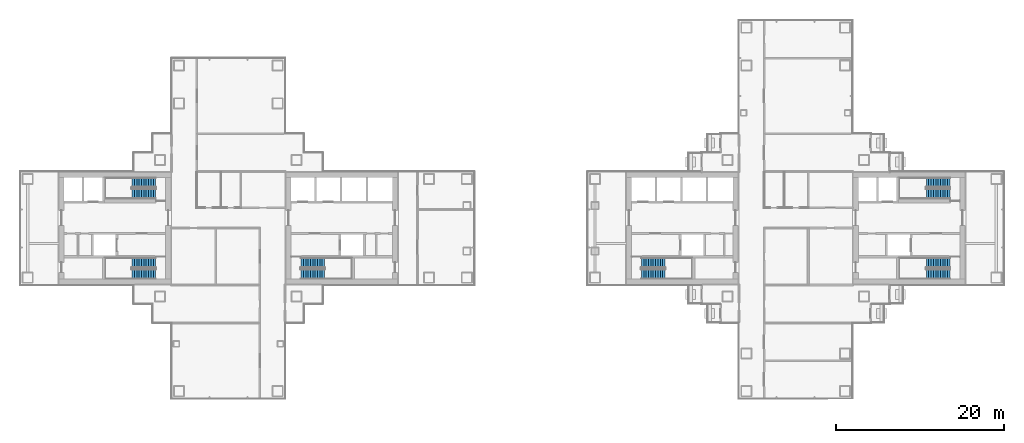
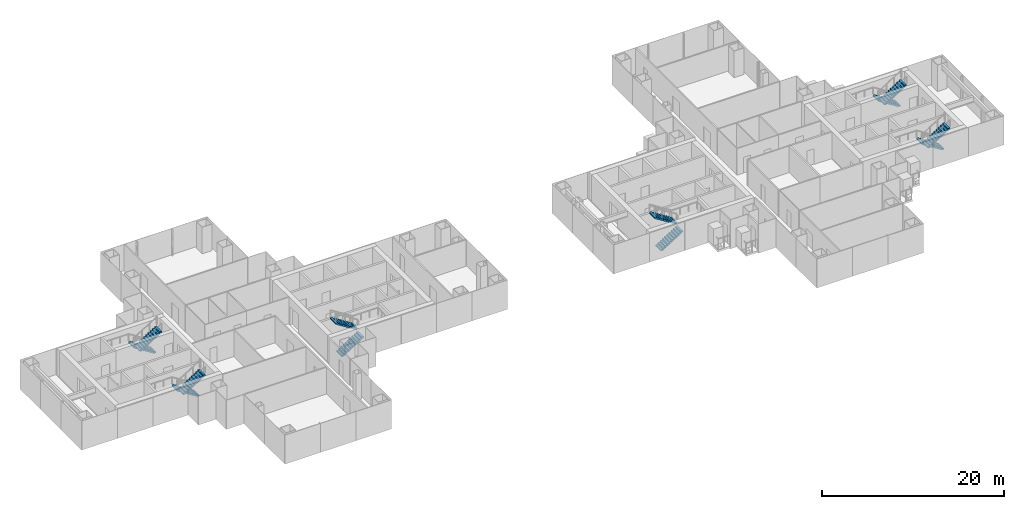
# One storey, part 17 of 20: 12 stair flights, 6 elements without a shape of their own.
"""IFC4 building model written with IfcOpenShell, lengths in metres."""

from ifc_helpers import new_model, si_unit, direction, frame, origin, place, context, subcontext, project, spatial, polyline, outline, extrude, material, type_object, element, aggregate, save


model = new_model("IFC4")

# Units and contexts
model_context = context("Model", 3, precision=1e-05, world=origin(), true_north=direction((0.0, 1.0)))
body_context = subcontext(model_context, "Body", "Model", "MODEL_VIEW")
ifc_project = project(units=[si_unit("LENGTHUNIT", "METRE"), si_unit("AREAUNIT", "SQUARE_METRE"), si_unit("VOLUMEUNIT", "CUBIC_METRE"), si_unit("PLANEANGLEUNIT", "RADIAN"), si_unit("MASSUNIT", "GRAM", prefix="KILO")], contexts=[model_context])

# Site, building, storey
site_placement = place(None, origin())
site = spatial("IfcSite", under=ifc_project, at=site_placement, CompositionType="ELEMENT")
building_placement = place(site_placement, origin())
building = spatial("IfcBuilding", under=site, at=building_placement, Name="Shamsa Quay Exchange Towers", CompositionType="ELEMENT")
storey_placement = place(building_placement, frame((0.0, 0.0, 109.199951171875)))
storey = spatial("IfcBuildingStorey", under=building, at=storey_placement, Name="L25", CompositionType="ELEMENT", Elevation=109.199951171875)

# Stair, stair flights
ifc_material = material(Name="Concrete C40/50", Category="concrete")
stair_type = type_object("IfcStairType", Name="EXIT STAIR 22 RISERS 177 MM", PredefinedType="HALF_TURN_STAIR", material=ifc_material)
stair_1_placement = place(storey_placement, origin())
stair_1 = element("IfcStair", 1, at=stair_1_placement, inside=storey, type_object=stair_type, Name="L25 Exit stair ST1", PredefinedType="HALF_TURN_STAIR")
stair_flight_type = type_object("IfcStairFlightType", Name="EXIT STAIR FLIGHT 11 RISERS 177 MM", PredefinedType="STRAIGHT", material=ifc_material)
stair_flight_1_placement = place(storey_placement, frame((-25.10009765625, -5.449951171875, 0.0)))
stair_flight_1 = element("IfcStairFlight", 2, at=stair_flight_1_placement, type_object=stair_flight_type, Name="ST1 flight 1", NumberOfRisers=11, NumberOfTreads=10, PredefinedType="STRAIGHT", RiserHeight=0.177272727, TreadLength=0.28, context=body_context, shape_type="SweptSolid", body=[
    extrude(outline(polyline([(0.0, 0.0), (0.0, 0.17724609375), (0.280029296875, 0.17724609375), (0.280029296875, 0.3544921875), (0.56005859375, 0.3544921875), (0.56005859375, 0.53173828125), (0.840087890625, 0.53173828125), (0.840087890625, 0.708984375), (1.1201171875, 0.708984375), (1.1201171875, 0.886474609375), (1.39990234375, 0.886474609375), (1.39990234375, 1.063720703125), (1.679931640625, 1.063720703125), (1.679931640625, 1.240966796875), (1.9599609375, 1.240966796875), (1.9599609375, 1.418212890625), (2.239990234375, 1.418212890625), (2.239990234375, 1.595458984375), (2.52001953125, 1.595458984375), (2.52001953125, 1.772705078125), (2.800048828125, 1.772705078125), (2.800048828125, 1.949951171875), (2.800048828125, 1.607177734375), (0.261474609375, 0.0), (0.0, 0.0)])), frame((0.0, 0.60009765625, 0.0), z_axis=(0.0, -1.0, 0.0), x_axis=(1.0, 0.0, 0.0)), (0.0, 0.0, 1.0), 1.199951171875),
])
stair_flight_2_placement = place(storey_placement, frame((-22.300048828125, -4.10009765625, 1.949951171875), z_axis=(0.0, 0.0, 1.0), x_axis=(-1.0, 0.0, 0.0)))
stair_flight_2 = element("IfcStairFlight", 3, at=stair_flight_2_placement, type_object=stair_flight_type, Name="ST1 flight 2", NumberOfRisers=11, NumberOfTreads=10, PredefinedType="STRAIGHT", RiserHeight=0.177272727, TreadLength=0.28, context=body_context, shape_type="SweptSolid", body=[
    extrude(outline(polyline([(0.0, 0.0), (0.0, 0.17724609375), (0.280029296875, 0.17724609375), (0.280029296875, 0.3544921875), (0.56005859375, 0.3544921875), (0.56005859375, 0.53173828125), (0.840087890625, 0.53173828125), (0.840087890625, 0.708984375), (1.1201171875, 0.708984375), (1.1201171875, 0.886474609375), (1.39990234375, 0.886474609375), (1.39990234375, 1.063720703125), (1.679931640625, 1.063720703125), (1.679931640625, 1.240966796875), (1.9599609375, 1.240966796875), (1.9599609375, 1.418212890625), (2.239990234375, 1.418212890625), (2.239990234375, 1.595458984375), (2.52001953125, 1.595458984375), (2.52001953125, 1.772705078125), (2.800048828125, 1.772705078125), (2.800048828125, 1.949951171875), (2.800048828125, 1.607177734375), (0.261474609375, 0.0), (0.0, 0.0)])), frame((0.0, 0.60009765625, 0.0), z_axis=(0.0, -1.0, 0.0), x_axis=(1.0, 0.0, 0.0)), (0.0, 0.0, 1.0), 1.199951171875),
])
aggregate(stair_1, [stair_flight_1, stair_flight_2])

stair_2_placement = place(storey_placement, origin())
stair_2 = element("IfcStair", 4, at=stair_2_placement, inside=storey, type_object=stair_type, Name="L25 Exit stair ST2", PredefinedType="HALF_TURN_STAIR")
stair_flight_3_placement = place(storey_placement, frame((-42.39990234375, -4.10009765625, 0.0), z_axis=(0.0, 0.0, 1.0), x_axis=(-1.0, 0.0, 0.0)))
stair_flight_3 = element("IfcStairFlight", 5, at=stair_flight_3_placement, type_object=stair_flight_type, Name="ST2 flight 1", NumberOfRisers=11, NumberOfTreads=10, PredefinedType="STRAIGHT", RiserHeight=0.177272727, TreadLength=0.28, context=body_context, shape_type="SweptSolid", body=[
    extrude(outline(polyline([(0.0, 0.0), (0.0, 0.17724609375), (0.280029296875, 0.17724609375), (0.280029296875, 0.3544921875), (0.56005859375, 0.3544921875), (0.56005859375, 0.53173828125), (0.840087890625, 0.53173828125), (0.840087890625, 0.708984375), (1.1201171875, 0.708984375), (1.1201171875, 0.886474609375), (1.39990234375, 0.886474609375), (1.39990234375, 1.063720703125), (1.679931640625, 1.063720703125), (1.679931640625, 1.240966796875), (1.9599609375, 1.240966796875), (1.9599609375, 1.418212890625), (2.239990234375, 1.418212890625), (2.239990234375, 1.595458984375), (2.52001953125, 1.595458984375), (2.52001953125, 1.772705078125), (2.800048828125, 1.772705078125), (2.800048828125, 1.949951171875), (2.800048828125, 1.607177734375), (0.261474609375, 0.0), (0.0, 0.0)])), frame((0.0, 0.60009765625, 0.0), z_axis=(0.0, -1.0, 0.0), x_axis=(1.0, 0.0, 0.0)), (0.0, 0.0, 1.0), 1.199951171875),
])
stair_flight_4_placement = place(storey_placement, frame((-45.199951171875, -5.449951171875, 1.949951171875)))
stair_flight_4 = element("IfcStairFlight", 6, at=stair_flight_4_placement, type_object=stair_flight_type, Name="ST2 flight 2", NumberOfRisers=11, NumberOfTreads=10, PredefinedType="STRAIGHT", RiserHeight=0.177272727, TreadLength=0.28, context=body_context, shape_type="SweptSolid", body=[
    extrude(outline(polyline([(0.0, 0.0), (0.0, 0.17724609375), (0.280029296875, 0.17724609375), (0.280029296875, 0.3544921875), (0.56005859375, 0.3544921875), (0.56005859375, 0.53173828125), (0.840087890625, 0.53173828125), (0.840087890625, 0.708984375), (1.1201171875, 0.708984375), (1.1201171875, 0.886474609375), (1.39990234375, 0.886474609375), (1.39990234375, 1.063720703125), (1.679931640625, 1.063720703125), (1.679931640625, 1.240966796875), (1.9599609375, 1.240966796875), (1.9599609375, 1.418212890625), (2.239990234375, 1.418212890625), (2.239990234375, 1.595458984375), (2.52001953125, 1.595458984375), (2.52001953125, 1.772705078125), (2.800048828125, 1.772705078125), (2.800048828125, 1.949951171875), (2.800048828125, 1.607177734375), (0.261474609375, 0.0), (0.0, 0.0)])), frame((0.0, 0.60009765625, 0.0), z_axis=(0.0, -1.0, 0.0), x_axis=(1.0, 0.0, 0.0)), (0.0, 0.0, 1.0), 1.199951171875),
])
aggregate(stair_2, [stair_flight_3, stair_flight_4])

stair_3_placement = place(storey_placement, origin())
stair_3 = element("IfcStair", 7, at=stair_3_placement, inside=storey, type_object=stair_type, Name="L25 Exit stair ST3", PredefinedType="HALF_TURN_STAIR")
stair_flight_5_placement = place(storey_placement, frame((-42.39990234375, 5.449951171875, 0.0), z_axis=(0.0, 0.0, 1.0), x_axis=(-1.0, 0.0, 0.0)))
stair_flight_5 = element("IfcStairFlight", 8, at=stair_flight_5_placement, type_object=stair_flight_type, Name="ST3 flight 1", NumberOfRisers=11, NumberOfTreads=10, PredefinedType="STRAIGHT", RiserHeight=0.177272727, TreadLength=0.28, context=body_context, shape_type="SweptSolid", body=[
    extrude(outline(polyline([(0.0, 0.0), (0.0, 0.17724609375), (0.280029296875, 0.17724609375), (0.280029296875, 0.3544921875), (0.56005859375, 0.3544921875), (0.56005859375, 0.53173828125), (0.840087890625, 0.53173828125), (0.840087890625, 0.708984375), (1.1201171875, 0.708984375), (1.1201171875, 0.886474609375), (1.39990234375, 0.886474609375), (1.39990234375, 1.063720703125), (1.679931640625, 1.063720703125), (1.679931640625, 1.240966796875), (1.9599609375, 1.240966796875), (1.9599609375, 1.418212890625), (2.239990234375, 1.418212890625), (2.239990234375, 1.595458984375), (2.52001953125, 1.595458984375), (2.52001953125, 1.772705078125), (2.800048828125, 1.772705078125), (2.800048828125, 1.949951171875), (2.800048828125, 1.607177734375), (0.261474609375, 0.0), (0.0, 0.0)])), frame((0.0, 0.60009765625, 0.0), z_axis=(0.0, -1.0, 0.0), x_axis=(1.0, 0.0, 0.0)), (0.0, 0.0, 1.0), 1.199951171875),
])
stair_flight_6_placement = place(storey_placement, frame((-45.199951171875, 4.10009765625, 1.949951171875)))
stair_flight_6 = element("IfcStairFlight", 9, at=stair_flight_6_placement, type_object=stair_flight_type, Name="ST3 flight 2", NumberOfRisers=11, NumberOfTreads=10, PredefinedType="STRAIGHT", RiserHeight=0.177272727, TreadLength=0.28, context=body_context, shape_type="SweptSolid", body=[
    extrude(outline(polyline([(0.0, 0.0), (0.0, 0.17724609375), (0.280029296875, 0.17724609375), (0.280029296875, 0.3544921875), (0.56005859375, 0.3544921875), (0.56005859375, 0.53173828125), (0.840087890625, 0.53173828125), (0.840087890625, 0.708984375), (1.1201171875, 0.708984375), (1.1201171875, 0.886474609375), (1.39990234375, 0.886474609375), (1.39990234375, 1.063720703125), (1.679931640625, 1.063720703125), (1.679931640625, 1.240966796875), (1.9599609375, 1.240966796875), (1.9599609375, 1.418212890625), (2.239990234375, 1.418212890625), (2.239990234375, 1.595458984375), (2.52001953125, 1.595458984375), (2.52001953125, 1.772705078125), (2.800048828125, 1.772705078125), (2.800048828125, 1.949951171875), (2.800048828125, 1.607177734375), (0.261474609375, 0.0), (0.0, 0.0)])), frame((0.0, 0.60009765625, 0.0), z_axis=(0.0, -1.0, 0.0), x_axis=(1.0, 0.0, 0.0)), (0.0, 0.0, 1.0), 1.199951171875),
])
aggregate(stair_3, [stair_flight_5, stair_flight_6])

stair_4_placement = place(storey_placement, origin())
stair_4 = element("IfcStair", 10, at=stair_4_placement, inside=storey, type_object=stair_type, Name="L25 Exit stair ST4", PredefinedType="HALF_TURN_STAIR")
stair_flight_7_placement = place(storey_placement, frame((15.39990234375, -5.449951171875, 0.0)))
stair_flight_7 = element("IfcStairFlight", 11, at=stair_flight_7_placement, type_object=stair_flight_type, Name="ST4 flight 1", NumberOfRisers=11, NumberOfTreads=10, PredefinedType="STRAIGHT", RiserHeight=0.177272727, TreadLength=0.28, context=body_context, shape_type="SweptSolid", body=[
    extrude(outline(polyline([(0.0, 0.0), (0.0, 0.17724609375), (0.280029296875, 0.17724609375), (0.280029296875, 0.3544921875), (0.56005859375, 0.3544921875), (0.56005859375, 0.53173828125), (0.840087890625, 0.53173828125), (0.840087890625, 0.708984375), (1.1201171875, 0.708984375), (1.1201171875, 0.886474609375), (1.39990234375, 0.886474609375), (1.39990234375, 1.063720703125), (1.679931640625, 1.063720703125), (1.679931640625, 1.240966796875), (1.9599609375, 1.240966796875), (1.9599609375, 1.418212890625), (2.239990234375, 1.418212890625), (2.239990234375, 1.595458984375), (2.52001953125, 1.595458984375), (2.52001953125, 1.772705078125), (2.800048828125, 1.772705078125), (2.800048828125, 1.949951171875), (2.800048828125, 1.607177734375), (0.261474609375, 0.0), (0.0, 0.0)])), frame((0.0, 0.60009765625, 0.0), z_axis=(0.0, -1.0, 0.0), x_axis=(1.0, 0.0, 0.0)), (0.0, 0.0, 1.0), 1.199951171875),
])
stair_flight_8_placement = place(storey_placement, frame((18.199951171875, -4.10009765625, 1.949951171875), z_axis=(0.0, 0.0, 1.0), x_axis=(-1.0, 0.0, 0.0)))
stair_flight_8 = element("IfcStairFlight", 12, at=stair_flight_8_placement, type_object=stair_flight_type, Name="ST4 flight 2", NumberOfRisers=11, NumberOfTreads=10, PredefinedType="STRAIGHT", RiserHeight=0.177272727, TreadLength=0.28, context=body_context, shape_type="SweptSolid", body=[
    extrude(outline(polyline([(0.0, 0.0), (0.0, 0.17724609375), (0.280029296875, 0.17724609375), (0.280029296875, 0.3544921875), (0.56005859375, 0.3544921875), (0.56005859375, 0.53173828125), (0.840087890625, 0.53173828125), (0.840087890625, 0.708984375), (1.1201171875, 0.708984375), (1.1201171875, 0.886474609375), (1.39990234375, 0.886474609375), (1.39990234375, 1.063720703125), (1.679931640625, 1.063720703125), (1.679931640625, 1.240966796875), (1.9599609375, 1.240966796875), (1.9599609375, 1.418212890625), (2.239990234375, 1.418212890625), (2.239990234375, 1.595458984375), (2.52001953125, 1.595458984375), (2.52001953125, 1.772705078125), (2.800048828125, 1.772705078125), (2.800048828125, 1.949951171875), (2.800048828125, 1.607177734375), (0.261474609375, 0.0), (0.0, 0.0)])), frame((0.0, 0.60009765625, 0.0), z_axis=(0.0, -1.0, 0.0), x_axis=(1.0, 0.0, 0.0)), (0.0, 0.0, 1.0), 1.199951171875),
])
aggregate(stair_4, [stair_flight_7, stair_flight_8])

stair_5_placement = place(storey_placement, origin())
stair_5 = element("IfcStair", 13, at=stair_5_placement, inside=storey, type_object=stair_type, Name="L25 Exit stair ST5", PredefinedType="HALF_TURN_STAIR")
stair_flight_9_placement = place(storey_placement, frame((52.10009765625, -4.10009765625, 0.0), z_axis=(0.0, 0.0, 1.0), x_axis=(-1.0, 0.0, 0.0)))
stair_flight_9 = element("IfcStairFlight", 14, at=stair_flight_9_placement, type_object=stair_flight_type, Name="ST5 flight 1", NumberOfRisers=11, NumberOfTreads=10, PredefinedType="STRAIGHT", RiserHeight=0.177272727, TreadLength=0.28, context=body_context, shape_type="SweptSolid", body=[
    extrude(outline(polyline([(0.0, 0.0), (0.0, 0.17724609375), (0.280029296875, 0.17724609375), (0.280029296875, 0.3544921875), (0.56005859375, 0.3544921875), (0.56005859375, 0.53173828125), (0.840087890625, 0.53173828125), (0.840087890625, 0.708984375), (1.1201171875, 0.708984375), (1.1201171875, 0.886474609375), (1.39990234375, 0.886474609375), (1.39990234375, 1.063720703125), (1.679931640625, 1.063720703125), (1.679931640625, 1.240966796875), (1.9599609375, 1.240966796875), (1.9599609375, 1.418212890625), (2.239990234375, 1.418212890625), (2.239990234375, 1.595458984375), (2.52001953125, 1.595458984375), (2.52001953125, 1.772705078125), (2.800048828125, 1.772705078125), (2.800048828125, 1.949951171875), (2.800048828125, 1.607177734375), (0.261474609375, 0.0), (0.0, 0.0)])), frame((0.0, 0.60009765625, 0.0), z_axis=(0.0, -1.0, 0.0), x_axis=(1.0, 0.0, 0.0)), (0.0, 0.0, 1.0), 1.199951171875),
])
stair_flight_10_placement = place(storey_placement, frame((49.300048828125, -5.449951171875, 1.949951171875)))
stair_flight_10 = element("IfcStairFlight", 15, at=stair_flight_10_placement, type_object=stair_flight_type, Name="ST5 flight 2", NumberOfRisers=11, NumberOfTreads=10, PredefinedType="STRAIGHT", RiserHeight=0.177272727, TreadLength=0.28, context=body_context, shape_type="SweptSolid", body=[
    extrude(outline(polyline([(0.0, 0.0), (0.0, 0.17724609375), (0.280029296875, 0.17724609375), (0.280029296875, 0.3544921875), (0.56005859375, 0.3544921875), (0.56005859375, 0.53173828125), (0.840087890625, 0.53173828125), (0.840087890625, 0.708984375), (1.1201171875, 0.708984375), (1.1201171875, 0.886474609375), (1.39990234375, 0.886474609375), (1.39990234375, 1.063720703125), (1.679931640625, 1.063720703125), (1.679931640625, 1.240966796875), (1.9599609375, 1.240966796875), (1.9599609375, 1.418212890625), (2.239990234375, 1.418212890625), (2.239990234375, 1.595458984375), (2.52001953125, 1.595458984375), (2.52001953125, 1.772705078125), (2.800048828125, 1.772705078125), (2.800048828125, 1.949951171875), (2.800048828125, 1.607177734375), (0.261474609375, 0.0), (0.0, 0.0)])), frame((0.0, 0.60009765625, 0.0), z_axis=(0.0, -1.0, 0.0), x_axis=(1.0, 0.0, 0.0)), (0.0, 0.0, 1.0), 1.199951171875),
])
aggregate(stair_5, [stair_flight_9, stair_flight_10])

stair_6_placement = place(storey_placement, origin())
stair_6 = element("IfcStair", 16, at=stair_6_placement, inside=storey, type_object=stair_type, Name="L25 Exit stair ST6", PredefinedType="HALF_TURN_STAIR")
stair_flight_11_placement = place(storey_placement, frame((52.10009765625, 5.449951171875, 0.0), z_axis=(0.0, 0.0, 1.0), x_axis=(-1.0, 0.0, 0.0)))
stair_flight_11 = element("IfcStairFlight", 17, at=stair_flight_11_placement, type_object=stair_flight_type, Name="ST6 flight 1", NumberOfRisers=11, NumberOfTreads=10, PredefinedType="STRAIGHT", RiserHeight=0.177272727, TreadLength=0.28, context=body_context, shape_type="SweptSolid", body=[
    extrude(outline(polyline([(0.0, 0.0), (0.0, 0.17724609375), (0.280029296875, 0.17724609375), (0.280029296875, 0.3544921875), (0.56005859375, 0.3544921875), (0.56005859375, 0.53173828125), (0.840087890625, 0.53173828125), (0.840087890625, 0.708984375), (1.1201171875, 0.708984375), (1.1201171875, 0.886474609375), (1.39990234375, 0.886474609375), (1.39990234375, 1.063720703125), (1.679931640625, 1.063720703125), (1.679931640625, 1.240966796875), (1.9599609375, 1.240966796875), (1.9599609375, 1.418212890625), (2.239990234375, 1.418212890625), (2.239990234375, 1.595458984375), (2.52001953125, 1.595458984375), (2.52001953125, 1.772705078125), (2.800048828125, 1.772705078125), (2.800048828125, 1.949951171875), (2.800048828125, 1.607177734375), (0.261474609375, 0.0), (0.0, 0.0)])), frame((0.0, 0.60009765625, 0.0), z_axis=(0.0, -1.0, 0.0), x_axis=(1.0, 0.0, 0.0)), (0.0, 0.0, 1.0), 1.199951171875),
])
stair_flight_12_placement = place(storey_placement, frame((49.300048828125, 4.10009765625, 1.949951171875)))
stair_flight_12 = element("IfcStairFlight", 18, at=stair_flight_12_placement, type_object=stair_flight_type, Name="ST6 flight 2", NumberOfRisers=11, NumberOfTreads=10, PredefinedType="STRAIGHT", RiserHeight=0.177272727, TreadLength=0.28, context=body_context, shape_type="SweptSolid", body=[
    extrude(outline(polyline([(0.0, 0.0), (0.0, 0.17724609375), (0.280029296875, 0.17724609375), (0.280029296875, 0.3544921875), (0.56005859375, 0.3544921875), (0.56005859375, 0.53173828125), (0.840087890625, 0.53173828125), (0.840087890625, 0.708984375), (1.1201171875, 0.708984375), (1.1201171875, 0.886474609375), (1.39990234375, 0.886474609375), (1.39990234375, 1.063720703125), (1.679931640625, 1.063720703125), (1.679931640625, 1.240966796875), (1.9599609375, 1.240966796875), (1.9599609375, 1.418212890625), (2.239990234375, 1.418212890625), (2.239990234375, 1.595458984375), (2.52001953125, 1.595458984375), (2.52001953125, 1.772705078125), (2.800048828125, 1.772705078125), (2.800048828125, 1.949951171875), (2.800048828125, 1.607177734375), (0.261474609375, 0.0), (0.0, 0.0)])), frame((0.0, 0.60009765625, 0.0), z_axis=(0.0, -1.0, 0.0), x_axis=(1.0, 0.0, 0.0)), (0.0, 0.0, 1.0), 1.199951171875),
])
aggregate(stair_6, [stair_flight_11, stair_flight_12])

save(model, "model.ifc")
